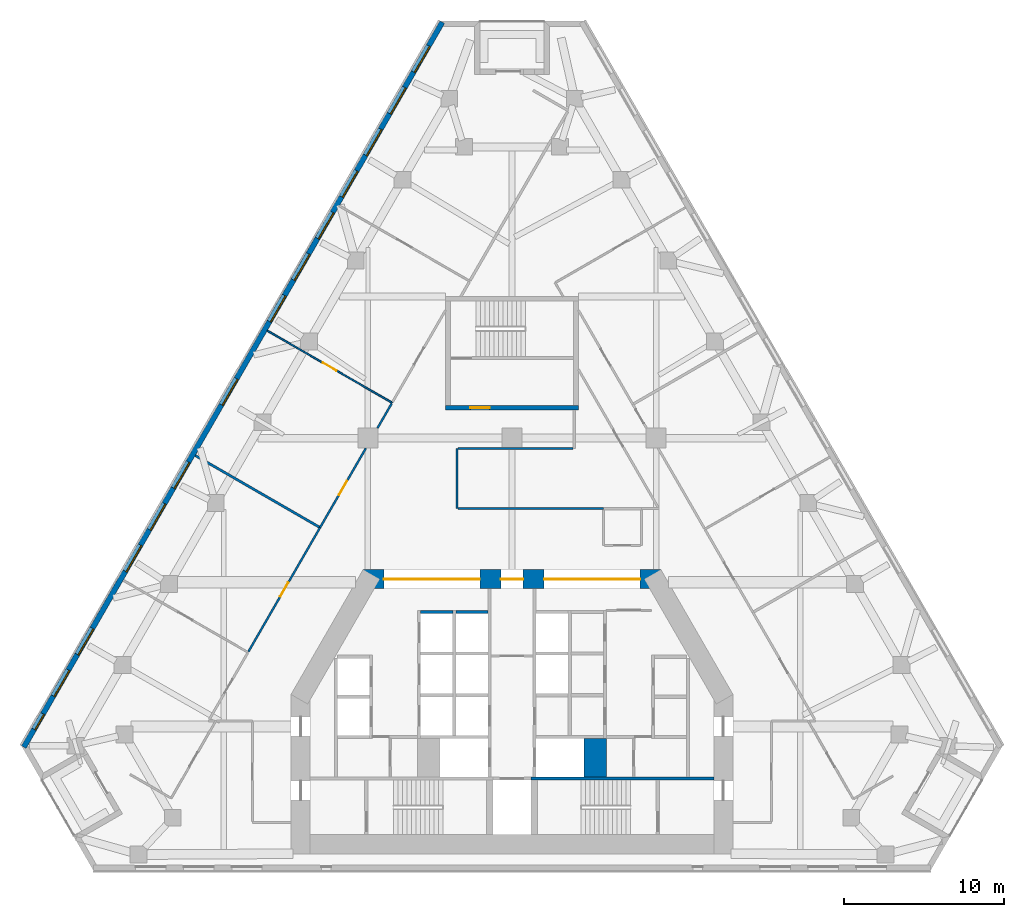
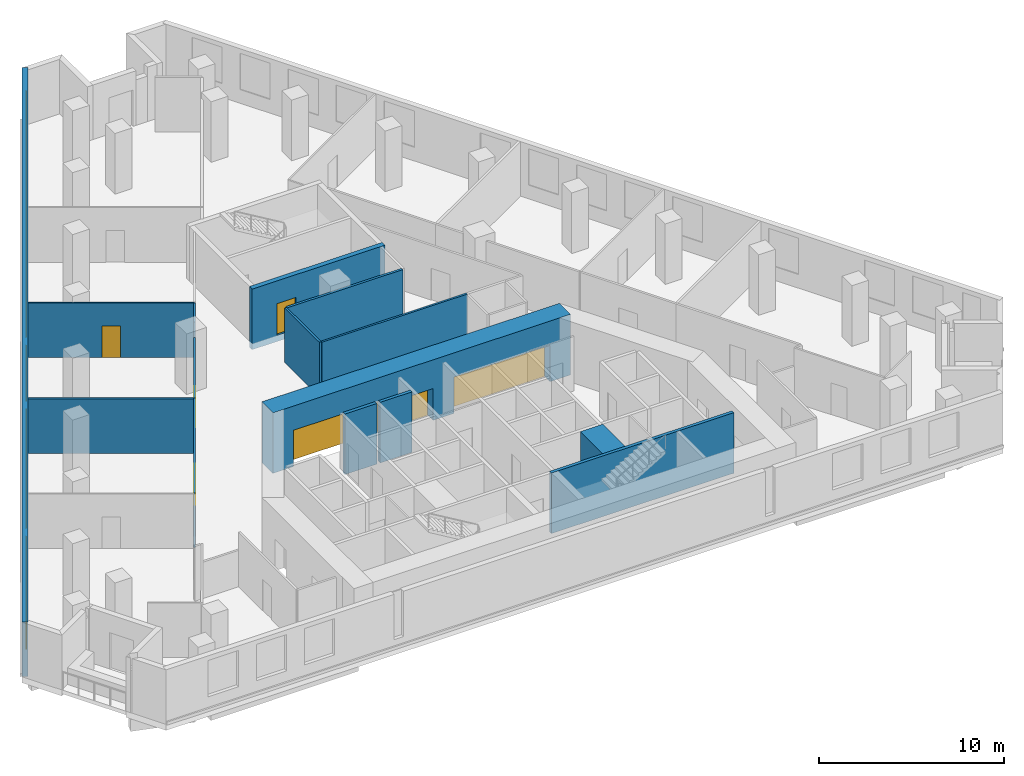
# One storey, part 5 of 9: 15 walls, 14 windows, 7 doors, 21 openings.
"""IFC4 building model written with IfcOpenShell, lengths in metres."""

import ifcopenshell
import ifcopenshell.guid

model = None  # the IFC model being written
_history = None  # IfcOwnerHistory: only IFC2X3 demands one
_inside = {}  # id of a spatial element -> (the spatial element, [elements in it])
_under = {}  # id of a project, library or spatial element -> (it, [spatial elements below it])
_declared = {}  # id of a project -> (the project, [libraries it declares])
_typed = {}  # id of a type object -> (the type object, [elements of that type])
_made_of = {}  # id of a material, layer set ... -> (it, [elements and type objects made of it])


def new_model(schema):
    """Start an empty IFC model of exactly this schema.

    Asked for "IFC4X3", IfcOpenShell would pick the latest addendum, in which some entities
    have other attributes; the version numbers below select the first issue.
    IFC2X3 requires an IfcOwnerHistory on every rooted entity: one is made here for all.
    """
    global model, _history
    if schema == "IFC4X3":
        model = ifcopenshell.file(schema_version=(4, 3, 0, 0))
    else:
        model = ifcopenshell.file(schema=schema)
    _inside.clear()
    _under.clear()
    _declared.clear()
    _typed.clear()
    _made_of.clear()
    _history = None
    if model.schema == "IFC2X3":
        org = make("IfcOrganization", Name="unknown")
        user = make(
            "IfcPersonAndOrganization",
            ThePerson=make("IfcPerson", FamilyName="unknown"),
            TheOrganization=org,
        )
        app = make(
            "IfcApplication",
            ApplicationDeveloper=org,
            Version="unknown",
            ApplicationFullName="unknown",
            ApplicationIdentifier="unknown",
        )
        _history = make(
            "IfcOwnerHistory",
            OwningUser=user,
            OwningApplication=app,
            ChangeAction="ADDED",
            CreationDate=0,
        )
    return model


def make(cls, **values):
    """One entity of the class cls with the attributes given. An attribute that is None is left unset."""
    return model.create_entity(
        cls, **{name: value for name, value in values.items() if value is not None}
    )


def rooted(cls, **values):
    """An entity with a GlobalId (a new one), such as an element, a storey or a relation."""
    return make(cls, GlobalId=ifcopenshell.guid.new(), OwnerHistory=_history, **values)


def si_unit(unit_type, name, prefix=None):
    """IfcSIUnit, for example si_unit("LENGTHUNIT", "METRE", prefix="MILLI")."""
    return make("IfcSIUnit", UnitType=unit_type, Prefix=prefix, Name=name)


def assignment(units):
    """IfcUnitAssignment: the units of a project."""
    return None if units is None else make("IfcUnitAssignment", Units=units)


def point(xyz):
    """IfcCartesianPoint."""
    return None if xyz is None else make("IfcCartesianPoint", Coordinates=xyz)


def direction(xyz):
    """IfcDirection."""
    return None if xyz is None else make("IfcDirection", DirectionRatios=xyz)


def frame(location, z_axis=None, x_axis=None):
    """IfcAxis2Placement3D, a coordinate frame: its origin and axes. An axis left out is left unset."""
    return make(
        "IfcAxis2Placement3D",
        Location=point(location),
        Axis=direction(z_axis),
        RefDirection=direction(x_axis),
    )


def frame_2d(location, x_axis=None):
    """IfcAxis2Placement2D, a coordinate frame in the plane: its origin and x axis."""
    return make(
        "IfcAxis2Placement2D", Location=point(location), RefDirection=direction(x_axis)
    )


def origin():
    """The frame at (0, 0, 0) with its axes left unset."""
    return frame((0.0, 0.0, 0.0))


def place(relative_to, where):
    """IfcLocalPlacement: puts the frame where relative to a parent placement (None: the world)."""
    return make(
        "IfcLocalPlacement", PlacementRelTo=relative_to, RelativePlacement=where
    )


def context(
    kind, dimensions, precision=None, world=None, true_north=None, identifier=None
):
    """IfcGeometricRepresentationContext, for example the 3D "Model" context."""
    return make(
        "IfcGeometricRepresentationContext",
        ContextIdentifier=identifier,
        ContextType=kind,
        CoordinateSpaceDimension=dimensions,
        Precision=precision,
        WorldCoordinateSystem=world,
        TrueNorth=true_north,
    )


def subcontext(parent, identifier, kind, view, scale=None):
    """IfcGeometricRepresentationSubContext, for example "Body" below "Model"."""
    return make(
        "IfcGeometricRepresentationSubContext",
        ContextIdentifier=identifier,
        ContextType=kind,
        ParentContext=parent,
        TargetScale=scale,
        TargetView=view,
    )


def project(units=None, contexts=None):
    """IfcProject with its units and contexts."""
    return rooted(
        "IfcProject",
        Name="project",
        RepresentationContexts=contexts,
        UnitsInContext=assignment(units),
    )


def spatial(cls, under=None, at=None, **own):
    """A site, building, storey or space (cls), placed at a placement, below another one or the project."""
    s = rooted(cls, ObjectPlacement=at, **own)
    if under is not None:
        _under.setdefault(under.id(), (under, []))[1].append(s)
    return s


def profile(cls, at=None, kind="AREA", **sizes):
    """A parametric profile (cls). Its sizes go by their IFC names, for example OverallWidth=200.0."""
    return make(cls, ProfileType=kind, Position=at, **sizes)


def rectangle(**sizes):
    """IfcRectangleProfileDef."""
    return profile("IfcRectangleProfileDef", **sizes)


def extrude(swept, where, along, depth):
    """IfcExtrudedAreaSolid: the profile swept, set in the frame where, extruded along a direction by depth."""
    return make(
        "IfcExtrudedAreaSolid",
        SweptArea=swept,
        Position=where,
        ExtrudedDirection=direction(along),
        Depth=depth,
    )


def shape(context_of_items, identifier, shape_type, items):
    """IfcShapeRepresentation: the items that make up one representation, for example the "Body"."""
    return make(
        "IfcShapeRepresentation",
        ContextOfItems=context_of_items,
        RepresentationIdentifier=identifier,
        RepresentationType=shape_type,
        Items=items,
    )


def material(Name=None, Category=None):
    """IfcMaterial."""
    return make("IfcMaterial", Name=Name, Category=Category)


def layer(
    of_material, thickness, ventilated=None, Name=None, Category=None, Priority=None
):
    """IfcMaterialLayer: one layer of a wall or slab, of a material (None: an air gap)."""
    return make(
        "IfcMaterialLayer",
        Material=of_material,
        LayerThickness=thickness,
        IsVentilated=ventilated,
        Name=Name,
        Category=Category,
        Priority=Priority,
    )


def layer_set(layers, Name=None):
    """IfcMaterialLayerSet."""
    return make("IfcMaterialLayerSet", MaterialLayers=layers, LayerSetName=Name)


def made_of(thing, what):
    """Note that an element or type object is made of a material, layer set ...; save() writes the relation."""
    if what is not None:
        _made_of.setdefault(what.id(), (what, []))[1].append(thing)
    return thing


def type_object(cls, material=None, **own):
    """A type object (cls), such as IfcWallType, which elements share."""
    return made_of(rooted(cls, **own), material)


def element(
    cls,
    number,
    at=None,
    inside=None,
    cuts=None,
    type_object=None,
    material=None,
    context=None,
    identifier="Body",
    shape_type=None,
    held_by="IfcProductDefinitionShape",
    body=None,
    shapes=None,
    **own,
):
    """One element of the class cls, such as IfcWall. Its Tag is "e" and its number.

    at: its placement. inside: the storey or other place that contains it. cuts: it is an
    opening in that element (IfcRelVoidsElement). A single representation is given by context,
    identifier, shape_type and body (its items); several are given by shapes. held_by: the class
    of the entity that holds the representations. save() writes the other relations.
    """
    e = rooted(cls, Tag="e%d" % number, ObjectPlacement=at, **own)
    if body is not None:
        shapes = [shape(context, identifier, shape_type, body)]
    if shapes is not None:
        e.Representation = make(held_by, Representations=shapes)
    if inside is not None:
        _inside.setdefault(inside.id(), (inside, []))[1].append(e)
    if cuts is not None:
        rooted(
            "IfcRelVoidsElement", RelatingBuildingElement=cuts, RelatedOpeningElement=e
        )
    if type_object is not None:
        _typed.setdefault(type_object.id(), (type_object, []))[1].append(e)
    return made_of(e, material)


def fill(opening, filler):
    """IfcRelFillsElement: the door or window that sits in an opening."""
    return rooted(
        "IfcRelFillsElement",
        RelatingOpeningElement=opening,
        RelatedBuildingElement=filler,
    )


def aggregate(whole, parts):
    """IfcRelAggregates: a whole, such as a stair, and the parts it consists of."""
    return rooted("IfcRelAggregates", RelatingObject=whole, RelatedObjects=parts)


def save(model, path):
    """Write the relations noted so far, then the file.

    IfcRelAggregates (storeys below a building ...), IfcRelContainedInSpatialStructure (elements
    in a storey), IfcRelDefinesByType, IfcRelAssociatesMaterial and IfcRelDeclares: one each for
    every whole, place, type object, material and project.
    """
    for whole, parts in _under.values():
        aggregate(whole, parts)
    for where, things in _inside.values():
        rooted(
            "IfcRelContainedInSpatialStructure",
            RelatedElements=things,
            RelatingStructure=where,
        )
    for kind, things in _typed.values():
        rooted("IfcRelDefinesByType", RelatedObjects=things, RelatingType=kind)
    for what, things in _made_of.values():
        rooted("IfcRelAssociatesMaterial", RelatedObjects=things, RelatingMaterial=what)
    for by, libraries in _declared.values():
        rooted("IfcRelDeclares", RelatingContext=by, RelatedDefinitions=libraries)
    model.write(path)


model = new_model("IFC4")

# Units and contexts
model_context = context("Model", 3, precision=1e-05, world=origin(), true_north=direction((0.0, 1.0)))
body_context = subcontext(model_context, "Body", "Model", "MODEL_VIEW")
ifc_project = project(units=[si_unit("LENGTHUNIT", "METRE"), si_unit("AREAUNIT", "SQUARE_METRE"), si_unit("VOLUMEUNIT", "CUBIC_METRE"), si_unit("PLANEANGLEUNIT", "RADIAN"), si_unit("MASSUNIT", "GRAM", prefix="KILO")], contexts=[model_context])

# Site, building, storey
site_placement = place(None, origin())
site = spatial("IfcSite", under=ifc_project, at=site_placement, CompositionType="ELEMENT")
building_placement = place(site_placement, origin())
building = spatial("IfcBuilding", under=site, at=building_placement, Name="Fogline Exchange Tower", CompositionType="ELEMENT")
storey_placement = place(building_placement, frame((0.0, 0.0, 100.10009765625)))
storey = spatial("IfcBuildingStorey", under=building, at=storey_placement, Name="L21", CompositionType="ELEMENT", Elevation=100.10009765625)

# Walls
ifc_material_1 = material(Name="Concrete C60", Category="concrete")
ifc_layer_1 = layer(ifc_material_1, 1.39990234375)
ifc_layer_set_1 = layer_set([ifc_layer_1], Name="CW140")
wall_type_1 = type_object("IfcWallType", Name="CW140", PredefinedType="SOLIDWALL", material=ifc_layer_set_1)
wall_1_placement = place(storey_placement, frame((5.199951171875, 5.85009765625, -0.400146484375), z_axis=(0.0, 0.0, 1.0), x_axis=(0.0, 1.0, 0.0)))
element("IfcWall", 1, at=wall_1_placement, inside=storey, type_object=wall_type_1, Name="Lift shaft block wall", PredefinedType="SOLIDWALL", context=body_context, shape_type="SweptSolid", body=[
    extrude(rectangle(XDim=2.39990234375, YDim=1.39990234375, at=frame_2d((1.199951171875, 0.0))), origin(), (0.0, 0.0, 1.0), 4.0),
])
ifc_material_2 = material(Name="Concrete C40", Category="concrete")
ifc_layer_2 = layer(ifc_material_2, 0.199951171875)
ifc_layer_set_2 = layer_set([ifc_layer_2], Name="CW20R")
wall_type_2 = type_object("IfcWallType", Name="CW20R", PredefinedType="SOLIDWALL", material=ifc_layer_set_2)
wall_2_placement = place(storey_placement, frame((1.199951171875, 5.75, -0.400146484375), z_axis=(0.0, 0.0, 1.0), x_axis=(1.0, 0.0, 0.0)))
element("IfcWall", 2, at=wall_2_placement, inside=storey, type_object=wall_type_2, Name="Stair enclosure wall", PredefinedType="SOLIDWALL", context=body_context, shape_type="SweptSolid", body=[
    extrude(rectangle(XDim=11.400146484375, YDim=0.199951171875, at=frame_2d((5.7001953125, 0.0))), origin(), (0.0, 0.0, 1.0), 4.0),
])
ifc_layer_3 = layer(ifc_material_2, 0.199951171875)
ifc_layer_set_3 = layer_set([ifc_layer_3], Name="CW20S")
wall_type_3 = type_object("IfcWallType", Name="CW20S", PredefinedType="SOLIDWALL", material=ifc_layer_set_3)
for number, where, z_axis, x_axis, name in (
    (3, (-5.699951171875, 16.14990234375, -0.400146484375), (0.0, 0.0, 1.0), (1.0, 0.0, 0.0), "Lift shaft wall"),
    (4, (-3.5, 16.14990234375, -0.400146484375), (0.0, 0.0, 1.0), (1.0, 0.0, 0.0), "Lift shaft wall"),
):
    element("IfcWall", number, at=place(storey_placement, frame(where, z_axis=z_axis, x_axis=x_axis)), inside=storey, type_object=wall_type_3, Name=name, PredefinedType="SOLIDWALL", context=body_context, shape_type="SweptSolid", body=[
        extrude(rectangle(XDim=2.0, YDim=0.199951171875, at=frame_2d((1.0, 0.0))), origin(), (0.0, 0.0, 1.0), 4.0),
    ])

# Wall, opening, door
ifc_layer_4 = layer(ifc_material_2, 0.300048828125)
ifc_layer_set_4 = layer_set([ifc_layer_4], Name="CW30")
wall_type_4 = type_object("IfcWallType", Name="CW30", PredefinedType="SOLIDWALL", material=ifc_layer_set_4)
wall_3_placement = place(storey_placement, frame((-4.14990234375, 28.906982421875, -0.400146484375), z_axis=(0.0, 0.0, 1.0), x_axis=(1.0, 0.0, 0.0)))
wall_3 = element("IfcWall", 5, at=wall_3_placement, inside=storey, type_object=wall_type_4, Name="Stair enclosure wall ST3", PredefinedType="SOLIDWALL", context=body_context, shape_type="SweptSolid", body=[
    extrude(rectangle(XDim=8.2998046875, YDim=0.300048828125, at=frame_2d((4.14990234375, 0.0))), origin(), (0.0, 0.0, 1.0), 4.0),
])
opening_1_placement = place(wall_3_placement, frame((1.550048828125, 0.0, 0.39990234375)))
opening_1 = element("IfcOpeningElement", 6, at=opening_1_placement, cuts=wall_3, Name="Opening T06-C022", PredefinedType="OPENING", context=body_context, shape_type="SweptSolid", body=[
    extrude(rectangle(XDim=1.199951171875, YDim=2.10009765625, at=frame_2d((0.60009765625, 1.050048828125))), frame((0.0, 0.16015625, 0.0), z_axis=(0.0, -1.0, 0.0), x_axis=(1.0, 0.0, 0.0)), (0.0, 0.0, 1.0), 0.320068359375),
])
ifc_material_3 = material(Name="Steel and timber fire door", Category="steel")
door_type_1 = type_object("IfcDoorType", Name="D-FR1", OperationType="SINGLE_SWING_RIGHT", PredefinedType="DOOR", material=ifc_material_3)
door_1_placement = place(opening_1_placement, origin())
door_1 = element("IfcDoor", 7, at=door_1_placement, inside=storey, type_object=door_type_1, Name="Front room door ST3", OperationType="SINGLE_SWING_LEFT", OverallHeight=2.10009765625, OverallWidth=1.199951171875, PredefinedType="DOOR", context=body_context, shape_type="SweptSolid", body=[
    extrude(rectangle(XDim=1.199951171875, YDim=2.10009765625, at=frame_2d((0.60009765625, 1.050048828125))), frame((0.0, 0.02490234375, 0.0), z_axis=(0.0, -1.0, 0.0), x_axis=(1.0, 0.0, 0.0)), (0.0, 0.0, 1.0), 0.050048828125),
])
fill(opening_1, door_1)

# Wall, openings, windows
ifc_material_4 = material(Name="Brick masonry", Category="masonry")
ifc_layer_5 = layer(ifc_material_4, 0.340087890625)
ifc_layer_set_5 = layer_set([ifc_layer_5], Name="FW1")
wall_type_5 = type_object("IfcWallType", Name="FW1", PredefinedType="SOLIDWALL", material=ifc_layer_set_5)
wall_4_placement = place(storey_placement, frame((-4.352783203125, 52.981689453125, 0.0), z_axis=(0.0, 0.0, 1.0), x_axis=(-0.499998162791, -0.866026464495, 0.0)))
wall_4 = element("IfcWall", 8, at=wall_4_placement, inside=storey, type_object=wall_type_5, Name="Brick wall L21 W", PredefinedType="SOLIDWALL", context=body_context, shape_type="SweptSolid", body=[
    extrude(rectangle(XDim=52.276123046875, YDim=0.340087890625, at=frame_2d((26.13818359375, 0.0))), origin(), (0.0, 0.0, 1.0), 3.599853515625),
])
opening_2_placement = place(wall_4_placement, frame((1.70703125, 0.0, 0.89990234375)))
opening_2 = element("IfcOpeningElement", 9, at=opening_2_placement, cuts=wall_4, Name="Opening W1", PredefinedType="OPENING", context=body_context, shape_type="SweptSolid", body=[
    extrude(rectangle(XDim=1.885009765625, YDim=2.39990234375, at=frame_2d((0.9423828125, 1.199951171875))), frame((0.0, 0.18017578125, 0.0), z_axis=(0.0, -1.0, 0.0), x_axis=(1.0, 0.0, 0.0)), (0.0, 0.0, 1.0), 0.360107421875),
])
opening_3_placement = place(wall_4_placement, frame((4.70703125, 0.0, 0.89990234375)))
opening_3 = element("IfcOpeningElement", 10, at=opening_3_placement, cuts=wall_4, Name="Opening W1", PredefinedType="OPENING", context=body_context, shape_type="SweptSolid", body=[
    extrude(rectangle(XDim=1.885009765625, YDim=2.39990234375, at=frame_2d((0.9423828125, 1.199951171875))), frame((0.0, 0.18017578125, 0.0), z_axis=(0.0, -1.0, 0.0), x_axis=(1.0, 0.0, 0.0)), (0.0, 0.0, 1.0), 0.360107421875),
])
opening_4_placement = place(wall_4_placement, frame((7.70703125, 0.0, 0.89990234375)))
opening_4 = element("IfcOpeningElement", 11, at=opening_4_placement, cuts=wall_4, Name="Opening W1", PredefinedType="OPENING", context=body_context, shape_type="SweptSolid", body=[
    extrude(rectangle(XDim=1.885009765625, YDim=2.39990234375, at=frame_2d((0.9423828125, 1.199951171875))), frame((0.0, 0.18017578125, 0.0), z_axis=(0.0, -1.0, 0.0), x_axis=(1.0, 0.0, 0.0)), (0.0, 0.0, 1.0), 0.360107421875),
])
opening_5_placement = place(wall_4_placement, frame((10.70703125, 0.0, 0.89990234375)))
opening_5 = element("IfcOpeningElement", 12, at=opening_5_placement, cuts=wall_4, Name="Opening W1", PredefinedType="OPENING", context=body_context, shape_type="SweptSolid", body=[
    extrude(rectangle(XDim=1.885009765625, YDim=2.39990234375, at=frame_2d((0.9423828125, 1.199951171875))), frame((0.0, 0.18017578125, 0.0), z_axis=(0.0, -1.0, 0.0), x_axis=(1.0, 0.0, 0.0)), (0.0, 0.0, 1.0), 0.360107421875),
])
opening_6_placement = place(wall_4_placement, frame((13.70703125, 0.0, 0.89990234375)))
opening_6 = element("IfcOpeningElement", 13, at=opening_6_placement, cuts=wall_4, Name="Opening W1", PredefinedType="OPENING", context=body_context, shape_type="SweptSolid", body=[
    extrude(rectangle(XDim=1.885009765625, YDim=2.39990234375, at=frame_2d((0.9423828125, 1.199951171875))), frame((0.0, 0.18017578125, 0.0), z_axis=(0.0, -1.0, 0.0), x_axis=(1.0, 0.0, 0.0)), (0.0, 0.0, 1.0), 0.360107421875),
])
opening_7_placement = place(wall_4_placement, frame((16.70703125, 0.0, 0.89990234375)))
opening_7 = element("IfcOpeningElement", 14, at=opening_7_placement, cuts=wall_4, Name="Opening W1", PredefinedType="OPENING", context=body_context, shape_type="SweptSolid", body=[
    extrude(rectangle(XDim=1.885009765625, YDim=2.39990234375, at=frame_2d((0.9423828125, 1.199951171875))), frame((0.0, 0.18017578125, 0.0), z_axis=(0.0, -1.0, 0.0), x_axis=(1.0, 0.0, 0.0)), (0.0, 0.0, 1.0), 0.360107421875),
])
opening_8_placement = place(wall_4_placement, frame((19.70703125, 0.0, 0.89990234375)))
opening_8 = element("IfcOpeningElement", 15, at=opening_8_placement, cuts=wall_4, Name="Opening W1", PredefinedType="OPENING", context=body_context, shape_type="SweptSolid", body=[
    extrude(rectangle(XDim=1.885009765625, YDim=2.39990234375, at=frame_2d((0.9423828125, 1.199951171875))), frame((0.0, 0.18017578125, 0.0), z_axis=(0.0, -1.0, 0.0), x_axis=(1.0, 0.0, 0.0)), (0.0, 0.0, 1.0), 0.360107421875),
])
opening_9_placement = place(wall_4_placement, frame((25.70703125, 0.0, 0.89990234375)))
opening_9 = element("IfcOpeningElement", 16, at=opening_9_placement, cuts=wall_4, Name="Opening W1", PredefinedType="OPENING", context=body_context, shape_type="SweptSolid", body=[
    extrude(rectangle(XDim=1.885009765625, YDim=2.39990234375, at=frame_2d((0.9423828125, 1.199951171875))), frame((0.0, 0.18017578125, 0.0), z_axis=(0.0, -1.0, 0.0), x_axis=(1.0, 0.0, 0.0)), (0.0, 0.0, 1.0), 0.360107421875),
])
opening_10_placement = place(wall_4_placement, frame((31.70703125, 0.0, 0.89990234375)))
opening_10 = element("IfcOpeningElement", 17, at=opening_10_placement, cuts=wall_4, Name="Opening W1", PredefinedType="OPENING", context=body_context, shape_type="SweptSolid", body=[
    extrude(rectangle(XDim=1.885009765625, YDim=2.39990234375, at=frame_2d((0.9423828125, 1.199951171875))), frame((0.0, 0.18017578125, 0.0), z_axis=(0.0, -1.0, 0.0), x_axis=(1.0, 0.0, 0.0)), (0.0, 0.0, 1.0), 0.360107421875),
])
opening_11_placement = place(wall_4_placement, frame((34.70703125, 0.0, 0.89990234375)))
opening_11 = element("IfcOpeningElement", 18, at=opening_11_placement, cuts=wall_4, Name="Opening W1", PredefinedType="OPENING", context=body_context, shape_type="SweptSolid", body=[
    extrude(rectangle(XDim=1.885009765625, YDim=2.39990234375, at=frame_2d((0.9423828125, 1.199951171875))), frame((0.0, 0.18017578125, 0.0), z_axis=(0.0, -1.0, 0.0), x_axis=(1.0, 0.0, 0.0)), (0.0, 0.0, 1.0), 0.360107421875),
])
opening_12_placement = place(wall_4_placement, frame((37.70703125, 0.0, 0.89990234375)))
opening_12 = element("IfcOpeningElement", 19, at=opening_12_placement, cuts=wall_4, Name="Opening W1", PredefinedType="OPENING", context=body_context, shape_type="SweptSolid", body=[
    extrude(rectangle(XDim=1.885009765625, YDim=2.39990234375, at=frame_2d((0.9423828125, 1.199951171875))), frame((0.0, 0.18017578125, 0.0), z_axis=(0.0, -1.0, 0.0), x_axis=(1.0, 0.0, 0.0)), (0.0, 0.0, 1.0), 0.360107421875),
])
opening_13_placement = place(wall_4_placement, frame((43.70703125, 0.0, 0.89990234375)))
opening_13 = element("IfcOpeningElement", 20, at=opening_13_placement, cuts=wall_4, Name="Opening W1", PredefinedType="OPENING", context=body_context, shape_type="SweptSolid", body=[
    extrude(rectangle(XDim=1.885009765625, YDim=2.39990234375, at=frame_2d((0.9423828125, 1.199951171875))), frame((0.0, 0.18017578125, 0.0), z_axis=(0.0, -1.0, 0.0), x_axis=(1.0, 0.0, 0.0)), (0.0, 0.0, 1.0), 0.360107421875),
])
opening_14_placement = place(wall_4_placement, frame((46.70703125, 0.0, 0.89990234375)))
opening_14 = element("IfcOpeningElement", 21, at=opening_14_placement, cuts=wall_4, Name="Opening W1", PredefinedType="OPENING", context=body_context, shape_type="SweptSolid", body=[
    extrude(rectangle(XDim=1.885009765625, YDim=2.39990234375, at=frame_2d((0.9423828125, 1.199951171875))), frame((0.0, 0.18017578125, 0.0), z_axis=(0.0, -1.0, 0.0), x_axis=(1.0, 0.0, 0.0)), (0.0, 0.0, 1.0), 0.360107421875),
])
opening_15_placement = place(wall_4_placement, frame((49.87646484375, 0.0, 0.89990234375)))
opening_15 = element("IfcOpeningElement", 22, at=opening_15_placement, cuts=wall_4, Name="Opening W4", PredefinedType="OPENING", context=body_context, shape_type="SweptSolid", body=[
    extrude(rectangle(XDim=1.114990234375, YDim=2.39990234375, at=frame_2d((0.5576171875, 1.199951171875))), frame((0.0, 0.18017578125, 0.0), z_axis=(0.0, -1.0, 0.0), x_axis=(1.0, 0.0, 0.0)), (0.0, 0.0, 1.0), 0.360107421875),
])
ifc_material_5 = material(Name="Aluminium and glass", Category="aluminium")
window_type_1 = type_object("IfcWindowType", Name="W1", PartitioningType="SINGLE_PANEL", PredefinedType="WINDOW", material=ifc_material_5)
window_1_placement = place(opening_2_placement, origin())
window_1 = element("IfcWindow", 23, at=window_1_placement, inside=storey, type_object=window_type_1, Name="W1 W1", OverallHeight=2.39990234375, OverallWidth=1.885009765625, PartitioningType="SINGLE_PANEL", PredefinedType="WINDOW", context=body_context, shape_type="SweptSolid", body=[
    extrude(rectangle(XDim=1.885009765625, YDim=2.39990234375, at=frame_2d((0.9423828125, 1.199951171875))), frame((0.0, 0.110107421875, 0.0), z_axis=(0.0, -1.0, 0.0), x_axis=(1.0, 0.0, 0.0)), (0.0, 0.0, 1.0), 0.06005859375),
])
fill(opening_2, window_1)
window_2_placement = place(opening_3_placement, origin())
window_2 = element("IfcWindow", 24, at=window_2_placement, inside=storey, type_object=window_type_1, Name="W1 W1", OverallHeight=2.39990234375, OverallWidth=1.885009765625, PartitioningType="SINGLE_PANEL", PredefinedType="WINDOW", context=body_context, shape_type="SweptSolid", body=[
    extrude(rectangle(XDim=1.885009765625, YDim=2.39990234375, at=frame_2d((0.9423828125, 1.199951171875))), frame((0.0, 0.110107421875, 0.0), z_axis=(0.0, -1.0, 0.0), x_axis=(1.0, 0.0, 0.0)), (0.0, 0.0, 1.0), 0.06005859375),
])
fill(opening_3, window_2)
window_3_placement = place(opening_4_placement, origin())
window_3 = element("IfcWindow", 25, at=window_3_placement, inside=storey, type_object=window_type_1, Name="W1 W1", OverallHeight=2.39990234375, OverallWidth=1.885009765625, PartitioningType="SINGLE_PANEL", PredefinedType="WINDOW", context=body_context, shape_type="SweptSolid", body=[
    extrude(rectangle(XDim=1.885009765625, YDim=2.39990234375, at=frame_2d((0.9423828125, 1.199951171875))), frame((0.0, 0.110107421875, 0.0), z_axis=(0.0, -1.0, 0.0), x_axis=(1.0, 0.0, 0.0)), (0.0, 0.0, 1.0), 0.06005859375),
])
fill(opening_4, window_3)
window_4_placement = place(opening_5_placement, origin())
window_4 = element("IfcWindow", 26, at=window_4_placement, inside=storey, type_object=window_type_1, Name="W1 W1", OverallHeight=2.39990234375, OverallWidth=1.885009765625, PartitioningType="SINGLE_PANEL", PredefinedType="WINDOW", context=body_context, shape_type="SweptSolid", body=[
    extrude(rectangle(XDim=1.885009765625, YDim=2.39990234375, at=frame_2d((0.9423828125, 1.199951171875))), frame((0.0, 0.110107421875, 0.0), z_axis=(0.0, -1.0, 0.0), x_axis=(1.0, 0.0, 0.0)), (0.0, 0.0, 1.0), 0.06005859375),
])
fill(opening_5, window_4)
window_5_placement = place(opening_6_placement, origin())
window_5 = element("IfcWindow", 27, at=window_5_placement, inside=storey, type_object=window_type_1, Name="W1 W1", OverallHeight=2.39990234375, OverallWidth=1.885009765625, PartitioningType="SINGLE_PANEL", PredefinedType="WINDOW", context=body_context, shape_type="SweptSolid", body=[
    extrude(rectangle(XDim=1.885009765625, YDim=2.39990234375, at=frame_2d((0.9423828125, 1.199951171875))), frame((0.0, 0.110107421875, 0.0), z_axis=(0.0, -1.0, 0.0), x_axis=(1.0, 0.0, 0.0)), (0.0, 0.0, 1.0), 0.06005859375),
])
fill(opening_6, window_5)
window_6_placement = place(opening_7_placement, origin())
window_6 = element("IfcWindow", 28, at=window_6_placement, inside=storey, type_object=window_type_1, Name="W1 W1", OverallHeight=2.39990234375, OverallWidth=1.885009765625, PartitioningType="SINGLE_PANEL", PredefinedType="WINDOW", context=body_context, shape_type="SweptSolid", body=[
    extrude(rectangle(XDim=1.885009765625, YDim=2.39990234375, at=frame_2d((0.9423828125, 1.199951171875))), frame((0.0, 0.110107421875, 0.0), z_axis=(0.0, -1.0, 0.0), x_axis=(1.0, 0.0, 0.0)), (0.0, 0.0, 1.0), 0.06005859375),
])
fill(opening_7, window_6)
window_7_placement = place(opening_8_placement, origin())
window_7 = element("IfcWindow", 29, at=window_7_placement, inside=storey, type_object=window_type_1, Name="W1 W1", OverallHeight=2.39990234375, OverallWidth=1.885009765625, PartitioningType="SINGLE_PANEL", PredefinedType="WINDOW", context=body_context, shape_type="SweptSolid", body=[
    extrude(rectangle(XDim=1.885009765625, YDim=2.39990234375, at=frame_2d((0.9423828125, 1.199951171875))), frame((0.0, 0.110107421875, 0.0), z_axis=(0.0, -1.0, 0.0), x_axis=(1.0, 0.0, 0.0)), (0.0, 0.0, 1.0), 0.06005859375),
])
fill(opening_8, window_7)
window_8_placement = place(opening_9_placement, origin())
window_8 = element("IfcWindow", 30, at=window_8_placement, inside=storey, type_object=window_type_1, Name="W1 W1", OverallHeight=2.39990234375, OverallWidth=1.885009765625, PartitioningType="SINGLE_PANEL", PredefinedType="WINDOW", context=body_context, shape_type="SweptSolid", body=[
    extrude(rectangle(XDim=1.885009765625, YDim=2.39990234375, at=frame_2d((0.9423828125, 1.199951171875))), frame((0.0, 0.110107421875, 0.0), z_axis=(0.0, -1.0, 0.0), x_axis=(1.0, 0.0, 0.0)), (0.0, 0.0, 1.0), 0.06005859375),
])
fill(opening_9, window_8)
window_9_placement = place(opening_10_placement, origin())
window_9 = element("IfcWindow", 31, at=window_9_placement, inside=storey, type_object=window_type_1, Name="W1 W1", OverallHeight=2.39990234375, OverallWidth=1.885009765625, PartitioningType="SINGLE_PANEL", PredefinedType="WINDOW", context=body_context, shape_type="SweptSolid", body=[
    extrude(rectangle(XDim=1.885009765625, YDim=2.39990234375, at=frame_2d((0.9423828125, 1.199951171875))), frame((0.0, 0.110107421875, 0.0), z_axis=(0.0, -1.0, 0.0), x_axis=(1.0, 0.0, 0.0)), (0.0, 0.0, 1.0), 0.06005859375),
])
fill(opening_10, window_9)
window_10_placement = place(opening_11_placement, origin())
window_10 = element("IfcWindow", 32, at=window_10_placement, inside=storey, type_object=window_type_1, Name="W1 W1", OverallHeight=2.39990234375, OverallWidth=1.885009765625, PartitioningType="SINGLE_PANEL", PredefinedType="WINDOW", context=body_context, shape_type="SweptSolid", body=[
    extrude(rectangle(XDim=1.885009765625, YDim=2.39990234375, at=frame_2d((0.9423828125, 1.199951171875))), frame((0.0, 0.110107421875, 0.0), z_axis=(0.0, -1.0, 0.0), x_axis=(1.0, 0.0, 0.0)), (0.0, 0.0, 1.0), 0.06005859375),
])
fill(opening_11, window_10)
window_11_placement = place(opening_12_placement, origin())
window_11 = element("IfcWindow", 33, at=window_11_placement, inside=storey, type_object=window_type_1, Name="W1 W1", OverallHeight=2.39990234375, OverallWidth=1.885009765625, PartitioningType="SINGLE_PANEL", PredefinedType="WINDOW", context=body_context, shape_type="SweptSolid", body=[
    extrude(rectangle(XDim=1.885009765625, YDim=2.39990234375, at=frame_2d((0.9423828125, 1.199951171875))), frame((0.0, 0.110107421875, 0.0), z_axis=(0.0, -1.0, 0.0), x_axis=(1.0, 0.0, 0.0)), (0.0, 0.0, 1.0), 0.06005859375),
])
fill(opening_12, window_11)
window_12_placement = place(opening_13_placement, origin())
window_12 = element("IfcWindow", 34, at=window_12_placement, inside=storey, type_object=window_type_1, Name="W1 W1", OverallHeight=2.39990234375, OverallWidth=1.885009765625, PartitioningType="SINGLE_PANEL", PredefinedType="WINDOW", context=body_context, shape_type="SweptSolid", body=[
    extrude(rectangle(XDim=1.885009765625, YDim=2.39990234375, at=frame_2d((0.9423828125, 1.199951171875))), frame((0.0, 0.110107421875, 0.0), z_axis=(0.0, -1.0, 0.0), x_axis=(1.0, 0.0, 0.0)), (0.0, 0.0, 1.0), 0.06005859375),
])
fill(opening_13, window_12)
window_13_placement = place(opening_14_placement, origin())
window_13 = element("IfcWindow", 35, at=window_13_placement, inside=storey, type_object=window_type_1, Name="W1 W1", OverallHeight=2.39990234375, OverallWidth=1.885009765625, PartitioningType="SINGLE_PANEL", PredefinedType="WINDOW", context=body_context, shape_type="SweptSolid", body=[
    extrude(rectangle(XDim=1.885009765625, YDim=2.39990234375, at=frame_2d((0.9423828125, 1.199951171875))), frame((0.0, 0.110107421875, 0.0), z_axis=(0.0, -1.0, 0.0), x_axis=(1.0, 0.0, 0.0)), (0.0, 0.0, 1.0), 0.06005859375),
])
fill(opening_14, window_13)
window_type_2 = type_object("IfcWindowType", Name="W4", PartitioningType="SINGLE_PANEL", PredefinedType="WINDOW", material=ifc_material_5)
window_14_placement = place(opening_15_placement, origin())
window_14 = element("IfcWindow", 36, at=window_14_placement, inside=storey, type_object=window_type_2, Name="W4 W4", OverallHeight=2.39990234375, OverallWidth=1.114990234375, PartitioningType="SINGLE_PANEL", PredefinedType="WINDOW", context=body_context, shape_type="SweptSolid", body=[
    extrude(rectangle(XDim=1.114990234375, YDim=2.39990234375, at=frame_2d((0.5576171875, 1.199951171875))), frame((0.0, 0.110107421875, 0.0), z_axis=(0.0, -1.0, 0.0), x_axis=(1.0, 0.0, 0.0)), (0.0, 0.0, 1.0), 0.06005859375),
])
fill(opening_15, window_14)

# Wall, opening, door
ifc_material_6 = material(Name="Plasterboard partition, 2 layers each side on steel studs", Category="steel")
ifc_layer_6 = layer(ifc_material_6, 0.10009765625)
ifc_layer_set_6 = layer_set([ifc_layer_6], Name="PW1")
wall_type_6 = type_object("IfcWallType", Name="PW1", PredefinedType="PARTITIONING", material=ifc_layer_set_6)
wall_5_placement = place(storey_placement, frame((-7.486083984375, 29.214599609375, 0.0), z_axis=(0.0, 0.0, 1.0), x_axis=(-0.866024315419, 0.5000018851, 0.0)))
wall_5 = element("IfcWall", 37, at=wall_5_placement, inside=storey, type_object=wall_type_6, Name="wall-L21-W039", PredefinedType="PARTITIONING", context=body_context, shape_type="SweptSolid", body=[
    extrude(rectangle(XDim=9.0, YDim=0.10009765625, at=frame_2d((4.5, 0.0))), origin(), (0.0, 0.0, 1.0), 3.599853515625),
])
opening_16_placement = place(wall_5_placement, frame((4.0, 0.0, 0.0)))
opening_16 = element("IfcOpeningElement", 38, at=opening_16_placement, cuts=wall_5, Name="Opening T06-D016", PredefinedType="OPENING", context=body_context, shape_type="SweptSolid", body=[
    extrude(rectangle(XDim=1.0, YDim=2.10009765625, at=frame_2d((0.5, 1.050048828125))), frame((0.0, 0.06005859375, 0.0), z_axis=(0.0, -1.0, 0.0), x_axis=(1.0, 0.0, 0.0)), (0.0, 0.0, 1.0), 0.1201171875),
])
ifc_material_7 = material(Name="Timber door leaf with steel frame", Category="steel")
door_type_2 = type_object("IfcDoorType", Name="D1", OperationType="SINGLE_SWING_LEFT", PredefinedType="DOOR", material=ifc_material_7)
door_2_placement = place(opening_16_placement, origin())
door_2 = element("IfcDoor", 39, at=door_2_placement, inside=storey, type_object=door_type_2, Name="door-L21-D016", OperationType="SINGLE_SWING_LEFT", OverallHeight=2.10009765625, OverallWidth=1.0, PredefinedType="DOOR", context=body_context, shape_type="SweptSolid", body=[
    extrude(rectangle(XDim=1.0, YDim=2.10009765625, at=frame_2d((0.5, 1.050048828125))), frame((0.0, 0.02490234375, 0.0), z_axis=(0.0, -1.0, 0.0), x_axis=(1.0, 0.0, 0.0)), (0.0, 0.0, 1.0), 0.050048828125),
])
fill(opening_16, door_2)

# Wall
ifc_material_8 = material(Name="Plasterboard corridor partition with mineral wool, 2 layers each side")
ifc_layer_7 = layer(ifc_material_8, 0.125)
ifc_layer_set_7 = layer_set([ifc_layer_7], Name="PW2")
wall_type_7 = type_object("IfcWallType", Name="PW2", PredefinedType="PARTITIONING", material=ifc_layer_set_7)
wall_6_placement = place(storey_placement, frame((-3.387451171875, 22.60009765625, 0.0), z_axis=(0.0, 0.0, 1.0), x_axis=(1.0, 0.0, 0.0)))
element("IfcWall", 40, at=wall_6_placement, inside=storey, type_object=wall_type_7, Name="wall-L21-W006", PredefinedType="PARTITIONING", context=body_context, shape_type="SweptSolid", body=[
    extrude(rectangle(XDim=9.08740234375, YDim=0.125, at=frame_2d((4.543701171875, 0.0))), origin(), (0.0, 0.0, 1.0), 3.599853515625),
])

# Wall, opening, door
wall_7_placement = place(storey_placement, frame((-11.986083984375, 21.42041015625, 0.0), z_axis=(0.0, 0.0, 1.0), x_axis=(0.500008117708, 0.866020716973, 0.0)))
wall_7 = element("IfcWall", 41, at=wall_7_placement, inside=storey, type_object=wall_type_7, Name="wall-L21-W011", PredefinedType="PARTITIONING", context=body_context, shape_type="SweptSolid", body=[
    extrude(rectangle(XDim=5.72119140625, YDim=0.125, at=frame_2d((2.860595703125, 0.0))), origin(), (0.0, 0.0, 1.0), 3.599853515625),
])
opening_17_placement = place(wall_7_placement, frame((2.360595703125, 0.0, 0.0)))
opening_17 = element("IfcOpeningElement", 42, at=opening_17_placement, cuts=wall_7, Name="Opening T06-D005", PredefinedType="OPENING", context=body_context, shape_type="SweptSolid", body=[
    extrude(rectangle(XDim=1.0, YDim=2.10009765625, at=frame_2d((0.5, 1.050048828125))), frame((0.0, 0.072509765625, 0.0), z_axis=(0.0, -1.0, 0.0), x_axis=(1.0, 0.0, 0.0)), (0.0, 0.0, 1.0), 0.14501953125),
])
ifc_material_9 = material(Name="Fire-rated timber door leaf with steel frame", Category="steel")
door_type_3 = type_object("IfcDoorType", Name="D3", OperationType="SINGLE_SWING_LEFT", PredefinedType="DOOR", material=ifc_material_9)
door_3_placement = place(opening_17_placement, origin())
door_3 = element("IfcDoor", 43, at=door_3_placement, inside=storey, type_object=door_type_3, Name="door-L21-D005", OperationType="SINGLE_SWING_LEFT", OverallHeight=2.10009765625, OverallWidth=1.0, PredefinedType="DOOR", context=body_context, shape_type="SweptSolid", body=[
    extrude(rectangle(XDim=1.0, YDim=2.10009765625, at=frame_2d((0.5, 1.050048828125))), frame((0.0, 0.02490234375, 0.0), z_axis=(0.0, -1.0, 0.0), x_axis=(1.0, 0.0, 0.0)), (0.0, 0.0, 1.0), 0.050048828125),
])
fill(opening_17, door_3)

# Wall
wall_8_placement = place(storey_placement, frame((-8.40380859375, 27.625, 0.0), z_axis=(0.0, 0.0, 1.0), x_axis=(0.500022371132, 0.86601248742, 0.0)))
element("IfcWall", 44, at=wall_8_placement, inside=storey, type_object=wall_type_7, Name="wall-L21-W012", PredefinedType="PARTITIONING", context=body_context, shape_type="SweptSolid", body=[
    extrude(rectangle(XDim=1.78515625, YDim=0.125, at=frame_2d((0.892578125, 0.0))), origin(), (0.0, 0.0, 1.0), 3.599853515625),
])

# Wall, opening, door
wall_9_placement = place(storey_placement, frame((-16.460693359375, 13.669921875, 0.0), z_axis=(0.0, 0.0, 1.0), x_axis=(0.49998850867, 0.866032038205, 0.0)))
wall_9 = element("IfcWall", 45, at=wall_9_placement, inside=storey, type_object=wall_type_7, Name="wall-L21-W013", PredefinedType="PARTITIONING", context=body_context, shape_type="SweptSolid", body=[
    extrude(rectangle(XDim=8.949462890625, YDim=0.125, at=frame_2d((4.474609375, 0.0))), origin(), (0.0, 0.0, 1.0), 3.599853515625),
])
opening_18_placement = place(wall_9_placement, frame((3.974609375, 0.0, 0.0)))
opening_18 = element("IfcOpeningElement", 46, at=opening_18_placement, cuts=wall_9, Name="Opening T06-D006", PredefinedType="OPENING", context=body_context, shape_type="SweptSolid", body=[
    extrude(rectangle(XDim=1.0, YDim=2.10009765625, at=frame_2d((0.5, 1.050048828125))), frame((0.0, 0.072509765625, 0.0), z_axis=(0.0, -1.0, 0.0), x_axis=(1.0, 0.0, 0.0)), (0.0, 0.0, 1.0), 0.14501953125),
])
door_4_placement = place(opening_18_placement, origin())
door_4 = element("IfcDoor", 47, at=door_4_placement, inside=storey, type_object=door_type_3, Name="door-L21-D006", OperationType="SINGLE_SWING_RIGHT", OverallHeight=2.10009765625, OverallWidth=1.0, PredefinedType="DOOR", context=body_context, shape_type="SweptSolid", body=[
    extrude(rectangle(XDim=1.0, YDim=2.10009765625, at=frame_2d((0.5, 1.050048828125))), frame((0.0, 0.02490234375, 0.0), z_axis=(0.0, -1.0, 0.0), x_axis=(1.0, 0.0, 0.0)), (0.0, 0.0, 1.0), 0.050048828125),
])
fill(opening_18, door_4)

# Walls
wall_10_placement = place(storey_placement, frame((-3.449951171875, 26.35693359375, 0.0), z_axis=(0.0, 0.0, 1.0), x_axis=(0.0, -1.0, 0.0)))
element("IfcWall", 48, at=wall_10_placement, inside=storey, type_object=wall_type_7, Name="wall-L21-W027", PredefinedType="PARTITIONING", context=body_context, shape_type="SweptSolid", body=[
    extrude(rectangle(XDim=3.7568359375, YDim=0.125, at=frame_2d((1.87841796875, 0.0))), origin(), (0.0, 0.0, 1.0), 3.599853515625),
])
ifc_material_10 = material(Name="Plasterboard demising partition with mineral wool and acoustic board")
ifc_layer_8 = layer(ifc_material_10, 0.14990234375)
ifc_layer_set_8 = layer_set([ifc_layer_8], Name="PW3")
wall_type_8 = type_object("IfcWallType", Name="PW3", PredefinedType="PARTITIONING", material=ifc_layer_set_8)
wall_11_placement = place(storey_placement, frame((-12.040283203125, 21.45166015625, 0.0), z_axis=(0.0, 0.0, 1.0), x_axis=(-0.866022276127, 0.500005417223, 0.0)))
element("IfcWall", 49, at=wall_11_placement, inside=storey, type_object=wall_type_8, Name="wall-L21-W040", PredefinedType="PARTITIONING", context=body_context, shape_type="SweptSolid", body=[
    extrude(rectangle(XDim=8.9375, YDim=0.14990234375, at=frame_2d((4.46875, 0.0))), origin(), (0.0, 0.0, 1.0), 3.599853515625),
])
ifc_material_11 = material(Name="Plasterboard stair lobby partition, 3 layers each side on steel studs", Category="steel")
ifc_layer_9 = layer(ifc_material_11, 0.14990234375)
ifc_layer_set_9 = layer_set([ifc_layer_9], Name="PW4")
wall_type_9 = type_object("IfcWallType", Name="PW4", PredefinedType="PARTITIONING", material=ifc_layer_set_9)
wall_12_placement = place(storey_placement, frame((3.824951171875, 26.35693359375, 0.0), z_axis=(0.0, 0.0, 1.0), x_axis=(-1.0, 0.0, 0.0)))
element("IfcWall", 50, at=wall_12_placement, inside=storey, type_object=wall_type_9, Name="wall-L21-W018", PredefinedType="PARTITIONING", context=body_context, shape_type="SweptSolid", body=[
    extrude(rectangle(XDim=7.21240234375, YDim=0.14990234375, at=frame_2d((3.606201171875, 0.0))), origin(), (0.0, 0.0, 1.0), 3.599853515625),
])

# Wall, openings, doors
ifc_layer_10 = layer(ifc_material_1, 1.199951171875)
ifc_layer_set_10 = layer_set([ifc_layer_10], Name="SW02")
wall_type_10 = type_object("IfcWallType", Name="SW02", PredefinedType="SHEAR", material=ifc_layer_set_10)
wall_13_placement = place(storey_placement, frame((9.296142578125, 18.199951171875, 0.0), z_axis=(0.0, 0.0, 1.0), x_axis=(-1.0, 0.0, 0.0)))
wall_13 = element("IfcWall", 51, at=wall_13_placement, inside=storey, type_object=wall_type_10, Name="L21-W904", PredefinedType="SHEAR", context=body_context, shape_type="SweptSolid", body=[
    extrude(rectangle(XDim=18.59228515625, YDim=1.199951171875, at=frame_2d((9.296142578125, 0.0))), origin(), (0.0, 0.0, 1.0), 4.0),
])
opening_19_placement = place(wall_13_placement, frame((8.59619140625, 0.0, 0.0)))
opening_19 = element("IfcOpeningElement", 52, at=opening_19_placement, cuts=wall_13, Name="Opening T06-C019", PredefinedType="OPENING", context=body_context, shape_type="SweptSolid", body=[
    extrude(rectangle(XDim=1.39990234375, YDim=2.10009765625, at=frame_2d((0.699951171875, 1.050048828125))), frame((0.0, 0.60986328125, 0.0), z_axis=(0.0, -1.0, 0.0), x_axis=(1.0, 0.0, 0.0)), (0.0, 0.0, 1.0), 1.219970703125),
])
opening_20_placement = place(wall_13_placement, frame((11.296142578125, 0.0, 0.0)))
opening_20 = element("IfcOpeningElement", 53, at=opening_20_placement, cuts=wall_13, Name="Opening T06-C020", PredefinedType="OPENING", context=body_context, shape_type="SweptSolid", body=[
    extrude(rectangle(XDim=6.0, YDim=2.39990234375, at=frame_2d((3.0, 1.199951171875))), frame((0.0, 0.60986328125, 0.0), z_axis=(0.0, -1.0, 0.0), x_axis=(1.0, 0.0, 0.0)), (0.0, 0.0, 1.0), 1.219970703125),
])
opening_21_placement = place(wall_13_placement, frame((1.296142578125, 0.0, 0.0)))
opening_21 = element("IfcOpeningElement", 54, at=opening_21_placement, cuts=wall_13, Name="Opening T06-C021", PredefinedType="OPENING", context=body_context, shape_type="SweptSolid", body=[
    extrude(rectangle(XDim=6.0, YDim=2.39990234375, at=frame_2d((3.0, 1.199951171875))), frame((0.0, 0.60986328125, 0.0), z_axis=(0.0, -1.0, 0.0), x_axis=(1.0, 0.0, 0.0)), (0.0, 0.0, 1.0), 1.219970703125),
])
door_type_4 = type_object("IfcDoorType", Name="D-LB1", OperationType="DOUBLE_DOOR_SINGLE_SWING", PredefinedType="DOOR", material=ifc_material_3)
door_5_placement = place(opening_19_placement, origin())
door_5 = element("IfcDoor", 55, at=door_5_placement, inside=storey, type_object=door_type_4, Name="Protected lobby door", OperationType="DOUBLE_DOOR_SINGLE_SWING", OverallHeight=2.10009765625, OverallWidth=1.39990234375, PredefinedType="DOOR", context=body_context, shape_type="SweptSolid", body=[
    extrude(rectangle(XDim=1.39990234375, YDim=2.10009765625, at=frame_2d((0.699951171875, 1.050048828125))), frame((0.0, 0.02490234375, 0.0), z_axis=(0.0, -1.0, 0.0), x_axis=(1.0, 0.0, 0.0)), (0.0, 0.0, 1.0), 0.050048828125),
])
fill(opening_19, door_5)
door_type_5 = type_object("IfcDoorType", Name="D-LE1", OperationType="DOUBLE_DOOR_SLIDING", PredefinedType="DOOR", material=ifc_material_3)
door_6_placement = place(opening_20_placement, origin())
door_6 = element("IfcDoor", 56, at=door_6_placement, inside=storey, type_object=door_type_5, Name="Lift lobby entrance west", OperationType="DOUBLE_DOOR_SLIDING", OverallHeight=2.39990234375, OverallWidth=6.0, PredefinedType="DOOR", context=body_context, shape_type="SweptSolid", body=[
    extrude(rectangle(XDim=6.0, YDim=2.39990234375, at=frame_2d((3.0, 1.199951171875))), frame((0.0, 0.02490234375, 0.0), z_axis=(0.0, -1.0, 0.0), x_axis=(1.0, 0.0, 0.0)), (0.0, 0.0, 1.0), 0.050048828125),
])
fill(opening_20, door_6)
door_7_placement = place(opening_21_placement, origin())
door_7 = element("IfcDoor", 57, at=door_7_placement, inside=storey, type_object=door_type_5, Name="Lift lobby entrance east", OperationType="DOUBLE_DOOR_SLIDING", OverallHeight=2.39990234375, OverallWidth=6.0, PredefinedType="DOOR", context=body_context, shape_type="SweptSolid", body=[
    extrude(rectangle(XDim=6.0, YDim=2.39990234375, at=frame_2d((3.0, 1.199951171875))), frame((0.0, 0.02490234375, 0.0), z_axis=(0.0, -1.0, 0.0), x_axis=(1.0, 0.0, 0.0)), (0.0, 0.0, 1.0), 0.050048828125),
])
fill(opening_21, door_7)

save(model, "model.ifc")
